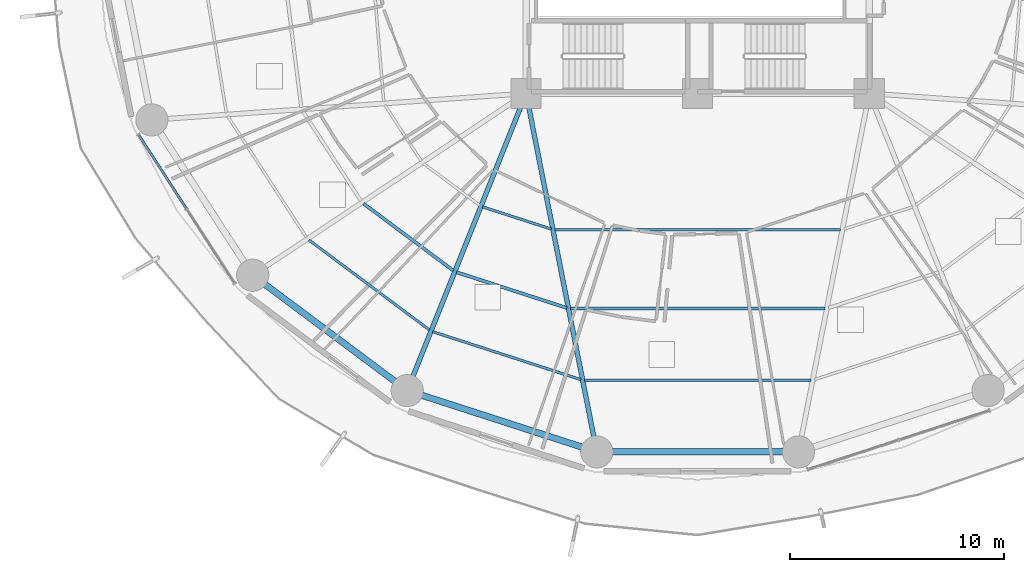
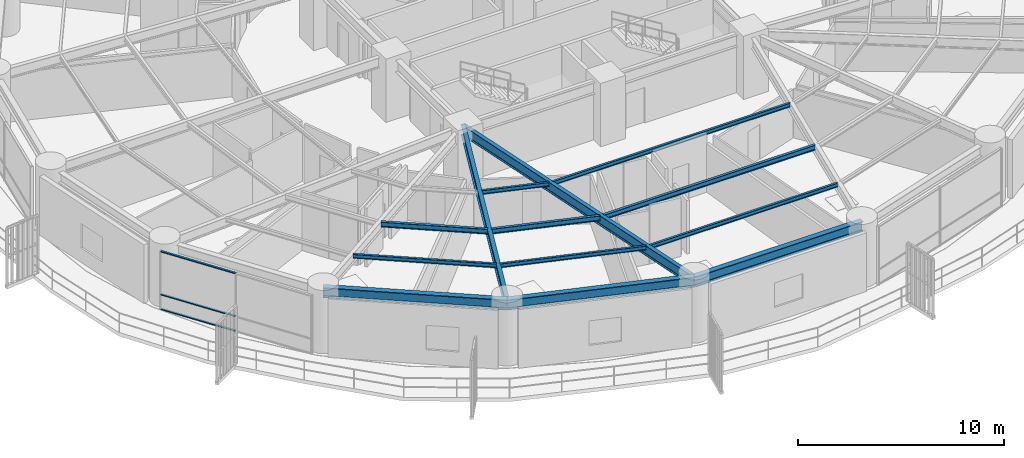
# One storey, part 3 of 33: 13 beams, 3 members, 1 element without a shape of its own.
"""IFC4 building model written with IfcOpenShell, lengths in metres."""

import ifcopenshell
import ifcopenshell.guid

model = None  # the IFC model being written
_history = None  # IfcOwnerHistory: only IFC2X3 demands one
_inside = {}  # id of a spatial element -> (the spatial element, [elements in it])
_under = {}  # id of a project, library or spatial element -> (it, [spatial elements below it])
_declared = {}  # id of a project -> (the project, [libraries it declares])
_typed = {}  # id of a type object -> (the type object, [elements of that type])
_made_of = {}  # id of a material, layer set ... -> (it, [elements and type objects made of it])


def new_model(schema):
    """Start an empty IFC model of exactly this schema.

    Asked for "IFC4X3", IfcOpenShell would pick the latest addendum, in which some entities
    have other attributes; the version numbers below select the first issue.
    IFC2X3 requires an IfcOwnerHistory on every rooted entity: one is made here for all.
    """
    global model, _history
    if schema == "IFC4X3":
        model = ifcopenshell.file(schema_version=(4, 3, 0, 0))
    else:
        model = ifcopenshell.file(schema=schema)
    _inside.clear()
    _under.clear()
    _declared.clear()
    _typed.clear()
    _made_of.clear()
    _history = None
    if model.schema == "IFC2X3":
        org = make("IfcOrganization", Name="unknown")
        user = make(
            "IfcPersonAndOrganization",
            ThePerson=make("IfcPerson", FamilyName="unknown"),
            TheOrganization=org,
        )
        app = make(
            "IfcApplication",
            ApplicationDeveloper=org,
            Version="unknown",
            ApplicationFullName="unknown",
            ApplicationIdentifier="unknown",
        )
        _history = make(
            "IfcOwnerHistory",
            OwningUser=user,
            OwningApplication=app,
            ChangeAction="ADDED",
            CreationDate=0,
        )
    return model


def make(cls, **values):
    """One entity of the class cls with the attributes given. An attribute that is None is left unset."""
    return model.create_entity(
        cls, **{name: value for name, value in values.items() if value is not None}
    )


def rooted(cls, **values):
    """An entity with a GlobalId (a new one), such as an element, a storey or a relation."""
    return make(cls, GlobalId=ifcopenshell.guid.new(), OwnerHistory=_history, **values)


def si_unit(unit_type, name, prefix=None):
    """IfcSIUnit, for example si_unit("LENGTHUNIT", "METRE", prefix="MILLI")."""
    return make("IfcSIUnit", UnitType=unit_type, Prefix=prefix, Name=name)


def assignment(units):
    """IfcUnitAssignment: the units of a project."""
    return None if units is None else make("IfcUnitAssignment", Units=units)


def point(xyz):
    """IfcCartesianPoint."""
    return None if xyz is None else make("IfcCartesianPoint", Coordinates=xyz)


def direction(xyz):
    """IfcDirection."""
    return None if xyz is None else make("IfcDirection", DirectionRatios=xyz)


def frame(location, z_axis=None, x_axis=None):
    """IfcAxis2Placement3D, a coordinate frame: its origin and axes. An axis left out is left unset."""
    return make(
        "IfcAxis2Placement3D",
        Location=point(location),
        Axis=direction(z_axis),
        RefDirection=direction(x_axis),
    )


def frame_2d(location, x_axis=None):
    """IfcAxis2Placement2D, a coordinate frame in the plane: its origin and x axis."""
    return make(
        "IfcAxis2Placement2D", Location=point(location), RefDirection=direction(x_axis)
    )


def origin():
    """The frame at (0, 0, 0) with its axes left unset."""
    return frame((0.0, 0.0, 0.0))


def origin_2d():
    """The frame at (0, 0) in the plane with its x axis left unset."""
    return frame_2d((0.0, 0.0))


def place(relative_to, where):
    """IfcLocalPlacement: puts the frame where relative to a parent placement (None: the world)."""
    return make(
        "IfcLocalPlacement", PlacementRelTo=relative_to, RelativePlacement=where
    )


def context(
    kind, dimensions, precision=None, world=None, true_north=None, identifier=None
):
    """IfcGeometricRepresentationContext, for example the 3D "Model" context."""
    return make(
        "IfcGeometricRepresentationContext",
        ContextIdentifier=identifier,
        ContextType=kind,
        CoordinateSpaceDimension=dimensions,
        Precision=precision,
        WorldCoordinateSystem=world,
        TrueNorth=true_north,
    )


def subcontext(parent, identifier, kind, view, scale=None):
    """IfcGeometricRepresentationSubContext, for example "Body" below "Model"."""
    return make(
        "IfcGeometricRepresentationSubContext",
        ContextIdentifier=identifier,
        ContextType=kind,
        ParentContext=parent,
        TargetScale=scale,
        TargetView=view,
    )


def project(units=None, contexts=None):
    """IfcProject with its units and contexts."""
    return rooted(
        "IfcProject",
        Name="project",
        RepresentationContexts=contexts,
        UnitsInContext=assignment(units),
    )


def spatial(cls, under=None, at=None, **own):
    """A site, building, storey or space (cls), placed at a placement, below another one or the project."""
    s = rooted(cls, ObjectPlacement=at, **own)
    if under is not None:
        _under.setdefault(under.id(), (under, []))[1].append(s)
    return s


def profile(cls, at=None, kind="AREA", **sizes):
    """A parametric profile (cls). Its sizes go by their IFC names, for example OverallWidth=200.0."""
    return make(cls, ProfileType=kind, Position=at, **sizes)


def hollow_rectangle(**sizes):
    """IfcRectangleHollowProfileDef."""
    return profile("IfcRectangleHollowProfileDef", **sizes)


def i_section(**sizes):
    """IfcIShapeProfileDef."""
    return profile("IfcIShapeProfileDef", **sizes)


def extrude(swept, where, along, depth):
    """IfcExtrudedAreaSolid: the profile swept, set in the frame where, extruded along a direction by depth."""
    return make(
        "IfcExtrudedAreaSolid",
        SweptArea=swept,
        Position=where,
        ExtrudedDirection=direction(along),
        Depth=depth,
    )


def shape(context_of_items, identifier, shape_type, items):
    """IfcShapeRepresentation: the items that make up one representation, for example the "Body"."""
    return make(
        "IfcShapeRepresentation",
        ContextOfItems=context_of_items,
        RepresentationIdentifier=identifier,
        RepresentationType=shape_type,
        Items=items,
    )


def material(Name=None, Category=None):
    """IfcMaterial."""
    return make("IfcMaterial", Name=Name, Category=Category)


def layer(
    of_material, thickness, ventilated=None, Name=None, Category=None, Priority=None
):
    """IfcMaterialLayer: one layer of a wall or slab, of a material (None: an air gap)."""
    return make(
        "IfcMaterialLayer",
        Material=of_material,
        LayerThickness=thickness,
        IsVentilated=ventilated,
        Name=Name,
        Category=Category,
        Priority=Priority,
    )


def layer_set(layers, Name=None):
    """IfcMaterialLayerSet."""
    return make("IfcMaterialLayerSet", MaterialLayers=layers, LayerSetName=Name)


def material_profile(
    of_material, cross_section, Name=None, Category=None, Priority=None
):
    """IfcMaterialProfile: a cross section and its material."""
    return make(
        "IfcMaterialProfile",
        Name=Name,
        Material=of_material,
        Profile=cross_section,
        Priority=Priority,
        Category=Category,
    )


def profile_set(profiles, Name=None, composite=None):
    """IfcMaterialProfileSet."""
    return make(
        "IfcMaterialProfileSet",
        Name=Name,
        MaterialProfiles=profiles,
        CompositeProfile=composite,
    )


def made_of(thing, what):
    """Note that an element or type object is made of a material, layer set ...; save() writes the relation."""
    if what is not None:
        _made_of.setdefault(what.id(), (what, []))[1].append(thing)
    return thing


def type_object(cls, material=None, **own):
    """A type object (cls), such as IfcWallType, which elements share."""
    return made_of(rooted(cls, **own), material)


def element(
    cls,
    number,
    at=None,
    inside=None,
    cuts=None,
    type_object=None,
    material=None,
    context=None,
    identifier="Body",
    shape_type=None,
    held_by="IfcProductDefinitionShape",
    body=None,
    shapes=None,
    **own,
):
    """One element of the class cls, such as IfcWall. Its Tag is "e" and its number.

    at: its placement. inside: the storey or other place that contains it. cuts: it is an
    opening in that element (IfcRelVoidsElement). A single representation is given by context,
    identifier, shape_type and body (its items); several are given by shapes. held_by: the class
    of the entity that holds the representations. save() writes the other relations.
    """
    e = rooted(cls, Tag="e%d" % number, ObjectPlacement=at, **own)
    if body is not None:
        shapes = [shape(context, identifier, shape_type, body)]
    if shapes is not None:
        e.Representation = make(held_by, Representations=shapes)
    if inside is not None:
        _inside.setdefault(inside.id(), (inside, []))[1].append(e)
    if cuts is not None:
        rooted(
            "IfcRelVoidsElement", RelatingBuildingElement=cuts, RelatedOpeningElement=e
        )
    if type_object is not None:
        _typed.setdefault(type_object.id(), (type_object, []))[1].append(e)
    return made_of(e, material)


def aggregate(whole, parts):
    """IfcRelAggregates: a whole, such as a stair, and the parts it consists of."""
    return rooted("IfcRelAggregates", RelatingObject=whole, RelatedObjects=parts)


def save(model, path):
    """Write the relations noted so far, then the file.

    IfcRelAggregates (storeys below a building ...), IfcRelContainedInSpatialStructure (elements
    in a storey), IfcRelDefinesByType, IfcRelAssociatesMaterial and IfcRelDeclares: one each for
    every whole, place, type object, material and project.
    """
    for whole, parts in _under.values():
        aggregate(whole, parts)
    for where, things in _inside.values():
        rooted(
            "IfcRelContainedInSpatialStructure",
            RelatedElements=things,
            RelatingStructure=where,
        )
    for kind, things in _typed.values():
        rooted("IfcRelDefinesByType", RelatedObjects=things, RelatingType=kind)
    for what, things in _made_of.values():
        rooted("IfcRelAssociatesMaterial", RelatedObjects=things, RelatingMaterial=what)
    for by, libraries in _declared.values():
        rooted("IfcRelDeclares", RelatingContext=by, RelatedDefinitions=libraries)
    model.write(path)


model = new_model("IFC4")

# Units and contexts
model_context = context("Model", 3, precision=1e-05, world=origin(), true_north=direction((0.0, 1.0)))
body_context = subcontext(model_context, "Body", "Model", "MODEL_VIEW")
ifc_project = project(units=[si_unit("LENGTHUNIT", "METRE"), si_unit("AREAUNIT", "SQUARE_METRE"), si_unit("VOLUMEUNIT", "CUBIC_METRE"), si_unit("PLANEANGLEUNIT", "RADIAN"), si_unit("MASSUNIT", "GRAM", prefix="KILO")], contexts=[model_context])

# Site, building, storey
site_placement = place(None, origin())
site = spatial("IfcSite", under=ifc_project, at=site_placement, CompositionType="ELEMENT")
building_placement = place(site_placement, origin())
building = spatial("IfcBuilding", under=site, at=building_placement, Name="Kelanora Arch Commons", CompositionType="ELEMENT")
storey_placement = place(building_placement, frame((0.0, 0.0, 41.25)))
storey = spatial("IfcBuildingStorey", under=building, at=storey_placement, Name="L10", CompositionType="ELEMENT", Elevation=41.25)

# Beams
ifc_material_1 = material(Name="Steel S355", Category="steel")
ifc_material_profile_1 = material_profile(ifc_material_1, i_section(OverallWidth=0.14990234375, OverallDepth=0.300048828125, WebThickness=0.007080078125, FlangeThickness=0.0107421875, FilletRadius=0.014892578125, at=origin_2d()), Name="IPE300")
ifc_profile_set_1 = profile_set([ifc_material_profile_1], Name="Steel S355")
beam_type_1 = type_object("IfcBeamType", Name="BM-JST-01", PredefinedType="JOIST", material=ifc_profile_set_1)
beam_1_placement = place(storey_placement, frame((58.42138671875, 45.8623046875, 3.340087890625), z_axis=(0.801478251559, -0.598023922831, 0.0), x_axis=(0.598023922831, 0.801478251559, 0.0)))
element("IfcBeam", 1, at=beam_1_placement, inside=storey, type_object=beam_type_1, Name="Secondary Chord Joist BJB-22 L10", PredefinedType="JOIST", context=body_context, shape_type="SweptSolid", body=[
    extrude(i_section(OverallWidth=0.14990234375, OverallDepth=0.300048828125, WebThickness=0.007080078125, FlangeThickness=0.0107421875, FilletRadius=0.014892578125, at=origin_2d()), origin(), (0.0, 0.0, 1.0), 5.223388671875),
])
beam_2_placement = place(storey_placement, frame((62.7568359375, 42.66162109375, 3.340087890625), z_axis=(0.951412209627, -0.307920131482, 0.0), x_axis=(0.307920131482, 0.951412209627, 0.0)))
element("IfcBeam", 2, at=beam_2_placement, inside=storey, type_object=beam_type_1, Name="Secondary Chord Joist BJB-24 L10", PredefinedType="JOIST", context=body_context, shape_type="SweptSolid", body=[
    extrude(i_section(OverallWidth=0.14990234375, OverallDepth=0.300048828125, WebThickness=0.007080078125, FlangeThickness=0.0107421875, FilletRadius=0.014892578125, at=origin_2d()), origin(), (0.0, 0.0, 1.0), 5.4033203125),
])
beam_3_placement = place(storey_placement, frame((68.063720703125, 40.971435546875, 3.340087890625), z_axis=(1.0, 0.0, 0.0), x_axis=(0.0, 1.0, 0.0)))
element("IfcBeam", 3, at=beam_3_placement, inside=storey, type_object=beam_type_1, Name="Secondary Chord Joist BJB-26 L10", PredefinedType="JOIST", context=body_context, shape_type="SweptSolid", body=[
    extrude(i_section(OverallWidth=0.14990234375, OverallDepth=0.300048828125, WebThickness=0.007080078125, FlangeThickness=0.0107421875, FilletRadius=0.014892578125, at=origin_2d()), origin(), (0.0, 0.0, 1.0), 11.87255859375),
])
ifc_material_profile_2 = material_profile(ifc_material_1, i_section(OverallWidth=0.1201171875, OverallDepth=0.239990234375, WebThickness=0.006103515625, FlangeThickness=0.009765625, FilletRadius=0.014892578125, at=origin_2d()), Name="IPE240")
ifc_profile_set_2 = profile_set([ifc_material_profile_2], Name="Steel S355")
beam_type_2 = type_object("IfcBeamType", Name="BM-JST-02", PredefinedType="JOIST", material=ifc_profile_set_2)
beam_4_placement = place(storey_placement, frame((55.87255859375, 44.16650390625, 3.3701171875), z_axis=(0.80149131963, -0.598006408459, 0.0), x_axis=(0.598006408459, 0.80149131963, 0.0)))
element("IfcBeam", 4, at=beam_4_placement, inside=storey, type_object=beam_type_2, Name="Secondary Chord Joist BJC-22 L10", PredefinedType="JOIST", context=body_context, shape_type="SweptSolid", body=[
    extrude(i_section(OverallWidth=0.1201171875, OverallDepth=0.239990234375, WebThickness=0.006103515625, FlangeThickness=0.009765625, FilletRadius=0.014892578125, at=origin_2d()), origin(), (0.0, 0.0, 1.0), 7.021240234375),
])
beam_5_placement = place(storey_placement, frame((63.9755859375, 45.709228515625, 3.3701171875), z_axis=(0.951422608074, -0.30788800049, 0.0), x_axis=(0.30788800049, 0.951422608074, 0.0)))
element("IfcBeam", 5, at=beam_5_placement, inside=storey, type_object=beam_type_2, Name="Secondary Chord Joist BJA-24 L10", PredefinedType="JOIST", context=body_context, shape_type="SweptSolid", body=[
    extrude(i_section(OverallWidth=0.1201171875, OverallDepth=0.239990234375, WebThickness=0.006103515625, FlangeThickness=0.009765625, FilletRadius=0.014892578125, at=origin_2d()), origin(), (0.0, 0.0, 1.0), 3.359619140625),
])
beam_6_placement = place(storey_placement, frame((61.64892578125, 39.890625, 3.3701171875), z_axis=(0.951410915705, -0.307924129418, 0.0), x_axis=(0.307924129418, 0.951410915705, 0.0)))
element("IfcBeam", 6, at=beam_6_placement, inside=storey, type_object=beam_type_2, Name="Secondary Chord Joist BJC-24 L10", PredefinedType="JOIST", context=body_context, shape_type="SweptSolid", body=[
    extrude(i_section(OverallWidth=0.1201171875, OverallDepth=0.239990234375, WebThickness=0.006103515625, FlangeThickness=0.009765625, FilletRadius=0.014892578125, at=origin_2d()), origin(), (0.0, 0.0, 1.0), 7.260986328125),
])
beam_7_placement = place(storey_placement, frame((67.338134765625, 44.648681640625, 3.3701171875), z_axis=(1.0, 0.0, 0.0), x_axis=(0.0, 1.0, 0.0)))
element("IfcBeam", 7, at=beam_7_placement, inside=storey, type_object=beam_type_2, Name="Secondary Chord Joist BJA-26 L10", PredefinedType="JOIST", context=body_context, shape_type="SweptSolid", body=[
    extrude(i_section(OverallWidth=0.1201171875, OverallDepth=0.239990234375, WebThickness=0.006103515625, FlangeThickness=0.009765625, FilletRadius=0.014892578125, at=origin_2d()), origin(), (0.0, 0.0, 1.0), 13.32373046875),
])
beam_8_placement = place(storey_placement, frame((68.72314453125, 37.628662109375, 3.3701171875), z_axis=(1.0, 0.0, 0.0), x_axis=(0.0, 1.0, 0.0)))
element("IfcBeam", 8, at=beam_8_placement, inside=storey, type_object=beam_type_2, Name="Secondary Chord Joist BJC-26 L10", PredefinedType="JOIST", context=body_context, shape_type="SweptSolid", body=[
    extrude(i_section(OverallWidth=0.1201171875, OverallDepth=0.239990234375, WebThickness=0.006103515625, FlangeThickness=0.009765625, FilletRadius=0.014892578125, at=origin_2d()), origin(), (0.0, 0.0, 1.0), 10.5537109375),
])
ifc_material_profile_3 = material_profile(ifc_material_1, i_section(OverallWidth=0.219970703125, OverallDepth=0.60009765625, WebThickness=0.011962890625, FlangeThickness=0.01904296875, FilletRadius=0.02392578125, at=origin_2d()), Name="IPE600")
ifc_profile_set_3 = profile_set([ifc_material_profile_3], Name="Steel S355")
beam_type_3 = type_object("IfcBeamType", Name="BM-RAD-Z1", PredefinedType="BEAM", material=ifc_profile_set_3)
beam_9_placement = place(storey_placement, frame((66.0, 51.0, 3.18994140625), z_axis=(-0.371300398117, -0.928512797089, 0.0), x_axis=(0.928512797089, -0.371300398117, 0.0)))
element("IfcBeam", 9, at=beam_9_placement, inside=storey, type_object=beam_type_3, Name="Radial Floor Girder BR-24 L10", PredefinedType="BEAM", context=body_context, shape_type="SweptSolid", body=[
    extrude(i_section(OverallWidth=0.219970703125, OverallDepth=0.60009765625, WebThickness=0.011962890625, FlangeThickness=0.01904296875, FilletRadius=0.02392578125, at=origin_2d()), origin(), (0.0, 0.0, 1.0), 14.920654296875),
])
beam_10_placement = place(storey_placement, frame((66.0, 51.0, 3.18994140625), z_axis=(0.19356352044, -0.981087745084, 0.0), x_axis=(0.981087745084, 0.19356352044, 0.0)))
element("IfcBeam", 10, at=beam_10_placement, inside=storey, type_object=beam_type_3, Name="Radial Floor Girder BR-26 L10", PredefinedType="BEAM", context=body_context, shape_type="SweptSolid", body=[
    extrude(i_section(OverallWidth=0.219970703125, OverallDepth=0.60009765625, WebThickness=0.011962890625, FlangeThickness=0.01904296875, FilletRadius=0.02392578125, at=origin_2d()), origin(), (0.0, 0.0, 1.0), 17.036376953125),
])
ifc_material_profile_4 = material_profile(ifc_material_1, i_section(OverallWidth=0.300048828125, OverallDepth=0.60009765625, WebThickness=0.015380859375, FlangeThickness=0.030029296875, FilletRadius=0.027099609375, at=origin_2d()), Name="HEB600")
ifc_profile_set_4 = profile_set([ifc_material_profile_4], Name="Steel S355")
beam_type_4 = type_object("IfcBeamType", Name="BM-SPN-Z1", PredefinedType="SPANDREL", material=ifc_profile_set_4)
beam_11_placement = place(storey_placement, frame((53.255615234375, 42.521728515625, 3.18994140625), z_axis=(0.801467504127, -0.598038326388, 0.0), x_axis=(0.598038326388, 0.801467504127, 0.0)))
element("IfcBeam", 11, at=beam_11_placement, inside=storey, type_object=beam_type_4, Name="Perimeter Spandrel Beam BS-22 L10", PredefinedType="SPANDREL", context=body_context, shape_type="SweptSolid", body=[
    extrude(i_section(OverallWidth=0.300048828125, OverallDepth=0.60009765625, WebThickness=0.015380859375, FlangeThickness=0.030029296875, FilletRadius=0.027099609375, at=origin_2d()), origin(), (0.0, 0.0, 1.0), 8.989013671875),
])
beam_12_placement = place(storey_placement, frame((60.4599609375, 37.14599609375, 3.18994140625), z_axis=(0.951417120402, -0.307904957748, 0.0), x_axis=(0.307904957748, 0.951417120402, 0.0)))
element("IfcBeam", 12, at=beam_12_placement, inside=storey, type_object=beam_type_4, Name="Perimeter Spandrel Beam BS-24 L10", PredefinedType="SPANDREL", context=body_context, shape_type="SweptSolid", body=[
    extrude(i_section(OverallWidth=0.300048828125, OverallDepth=0.60009765625, WebThickness=0.015380859375, FlangeThickness=0.030029296875, FilletRadius=0.027099609375, at=origin_2d()), origin(), (0.0, 0.0, 1.0), 9.288818359375),
])
beam_13_placement = place(storey_placement, frame((69.297607421875, 34.285888671875, 3.18994140625), z_axis=(1.0, 0.0, 0.0), x_axis=(0.0, 1.0, 0.0)))
element("IfcBeam", 13, at=beam_13_placement, inside=storey, type_object=beam_type_4, Name="Perimeter Spandrel Beam BS-26 L10", PredefinedType="SPANDREL", context=body_context, shape_type="SweptSolid", body=[
    extrude(i_section(OverallWidth=0.300048828125, OverallDepth=0.60009765625, WebThickness=0.015380859375, FlangeThickness=0.030029296875, FilletRadius=0.027099609375, at=origin_2d()), origin(), (0.0, 0.0, 1.0), 9.40478515625),
])

# Curtain wall, members
ifc_material_2 = material(Name="Terracotta ceramic-fritted low-E glass and aluminium", Category="masonry")
ifc_layer = layer(ifc_material_2, 0.159912109375)
ifc_layer_set = layer_set([ifc_layer], Name="Terracotta ceramic-fritted low-E glass and aluminium")
curtain_wall_type = type_object("IfcCurtainWallType", Name="CW-SYS-01", PredefinedType="NOTDEFINED", material=ifc_layer_set)
curtain_wall_placement = place(storey_placement, origin())
curtain_wall = element("IfcCurtainWall", 14, at=curtain_wall_placement, inside=storey, type_object=curtain_wall_type, Name="Unitised Curtain Wall L10-B10", PredefinedType="NOTDEFINED")
ifc_material_3 = material(Name="Powder-coated aluminium terracotta", Category="masonry")
ifc_material_profile_5 = material_profile(ifc_material_3, hollow_rectangle(XDim=0.1201171875, YDim=0.06005859375, WallThickness=0.0048828125, InnerFilletRadius=0.0048828125, OuterFilletRadius=0.010009765625, at=origin_2d()), Name="CWT120x60")
ifc_profile_set_5 = profile_set([ifc_material_profile_5], Name="Powder-coated aluminium terracotta")
member_type = type_object("IfcMemberType", Name="CWT-STD", PredefinedType="USERDEFINED", material=ifc_profile_set_5)
member_1_placement = place(storey_placement, frame((47.944091796875, 49.054443359375, 0.030029296875), z_axis=(0.542997414293, -0.839734367566, 0.0), x_axis=(0.839734367566, 0.542997414293, 0.0)))
member_1 = element("IfcMember", 15, at=member_1_placement, type_object=member_type, Name="CW-01 transom 1.1", ObjectType="TRANSOM", PredefinedType="USERDEFINED", context=body_context, shape_type="SweptSolid", body=[
    extrude(hollow_rectangle(XDim=0.1201171875, YDim=0.06005859375, WallThickness=0.0048828125, InnerFilletRadius=0.0048828125, OuterFilletRadius=0.010009765625, at=origin_2d()), origin(), (0.0, 0.0, 1.0), 4.067626953125),
])
member_2_placement = place(storey_placement, frame((47.944091796875, 49.054443359375, 0.89990234375), z_axis=(0.542997414293, -0.839734367566, 0.0), x_axis=(0.839734367566, 0.542997414293, 0.0)))
member_2 = element("IfcMember", 16, at=member_2_placement, type_object=member_type, Name="CW-01 transom 1.2", ObjectType="TRANSOM", PredefinedType="USERDEFINED", context=body_context, shape_type="SweptSolid", body=[
    extrude(hollow_rectangle(XDim=0.1201171875, YDim=0.06005859375, WallThickness=0.0048828125, InnerFilletRadius=0.0048828125, OuterFilletRadius=0.010009765625, at=origin_2d()), origin(), (0.0, 0.0, 1.0), 4.067626953125),
])
member_3_placement = place(storey_placement, frame((47.944091796875, 49.054443359375, 3.445068359375), z_axis=(0.542997414293, -0.839734367566, 0.0), x_axis=(0.839734367566, 0.542997414293, 0.0)))
member_3 = element("IfcMember", 17, at=member_3_placement, type_object=member_type, Name="CW-01 transom 1.3", ObjectType="TRANSOM", PredefinedType="USERDEFINED", context=body_context, shape_type="SweptSolid", body=[
    extrude(hollow_rectangle(XDim=0.1201171875, YDim=0.06005859375, WallThickness=0.0048828125, InnerFilletRadius=0.0048828125, OuterFilletRadius=0.010009765625, at=origin_2d()), origin(), (0.0, 0.0, 1.0), 4.067626953125),
])
aggregate(curtain_wall, [member_1, member_2, member_3])

save(model, "model.ifc")
